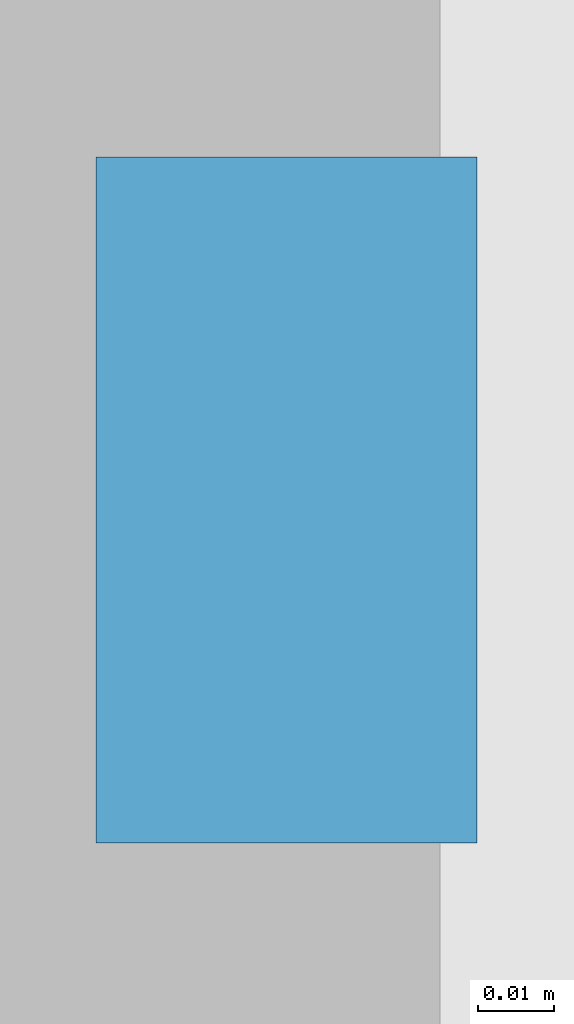
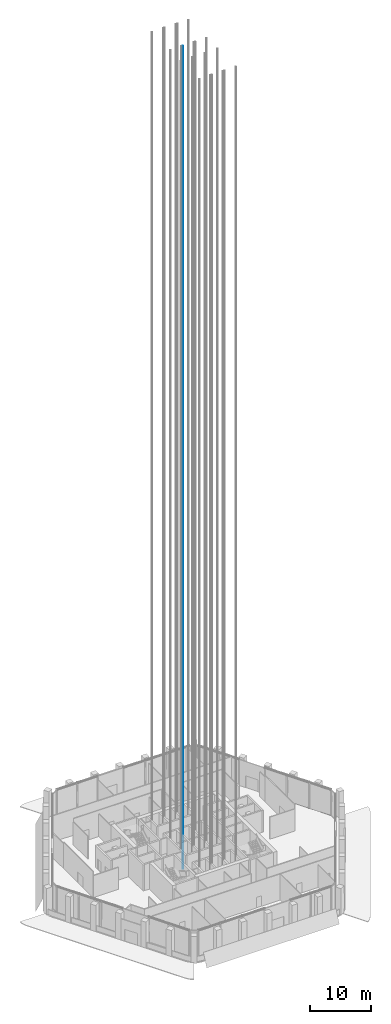
# One storey, part 29 of 42: 1 discrete accessory.
"""IFC4 building model written with IfcOpenShell, lengths in metres."""

from ifc_helpers import new_model, si_unit, direction, frame, origin, origin_2d, place, context, subcontext, project, spatial, rectangle, extrude, element, save


model = new_model("IFC4")

# Units and contexts
model_context = context("Model", 3, precision=1e-05, world=origin(), true_north=direction((0.0, 1.0)))
body_context = subcontext(model_context, "Body", "Model", "MODEL_VIEW")
ifc_project = project(units=[si_unit("LENGTHUNIT", "METRE"), si_unit("AREAUNIT", "SQUARE_METRE"), si_unit("VOLUMEUNIT", "CUBIC_METRE"), si_unit("PLANEANGLEUNIT", "RADIAN"), si_unit("MASSUNIT", "GRAM", prefix="KILO")], contexts=[model_context])

# Site, building, storey
site_placement = place(None, origin())
site = spatial("IfcSite", under=ifc_project, at=site_placement, CompositionType="ELEMENT")
building_placement = place(site_placement, origin())
building = spatial("IfcBuilding", under=site, at=building_placement, Name="Kolab Exchange Tower", CompositionType="ELEMENT")
storey_placement = place(building_placement, frame((0.0, 0.0, 133.39990234375)))
storey = spatial("IfcBuildingStorey", under=building, at=storey_placement, Name="L26", CompositionType="ELEMENT", Elevation=133.39990234375)

# Discrete accessory
discrete_accessory_placement = place(storey_placement, frame((-1.070068359375, 1.800048828125, -1.599853515625), z_axis=(0.0, 0.0, 1.0), x_axis=(1.0, 0.0, 0.0)))
element("IfcDiscreteAccessory", 1, at=discrete_accessory_placement, inside=storey, Name="Guide rail HR5-1", ObjectType="GUIDE RAIL", PredefinedType="USERDEFINED", context=body_context, shape_type="SweptSolid", body=[
    extrude(rectangle(XDim=0.050048828125, YDim=0.090087890625, at=origin_2d()), origin(), (0.0, 0.0, 1.0), 165.60009765625),
])

save(model, "model.ifc")
